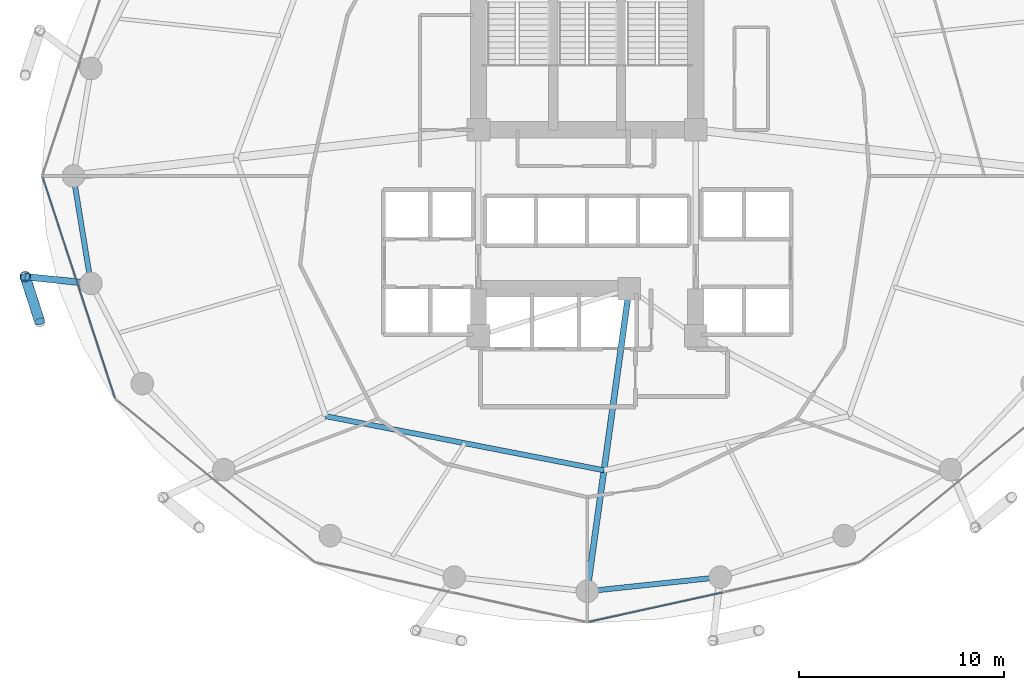
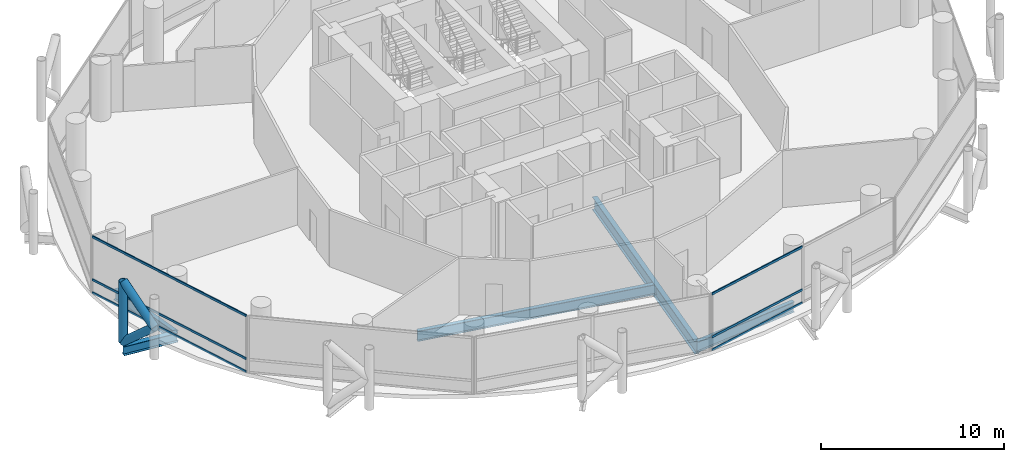
# One storey, part 5 of 25: 9 members, 5 beams, 2 elements without a shape of their own.
"""IFC4 building model written with IfcOpenShell, lengths in metres."""

import ifcopenshell
import ifcopenshell.guid

model = None  # the IFC model being written
_history = None  # IfcOwnerHistory: only IFC2X3 demands one
_inside = {}  # id of a spatial element -> (the spatial element, [elements in it])
_under = {}  # id of a project, library or spatial element -> (it, [spatial elements below it])
_declared = {}  # id of a project -> (the project, [libraries it declares])
_typed = {}  # id of a type object -> (the type object, [elements of that type])
_made_of = {}  # id of a material, layer set ... -> (it, [elements and type objects made of it])


def new_model(schema):
    """Start an empty IFC model of exactly this schema.

    Asked for "IFC4X3", IfcOpenShell would pick the latest addendum, in which some entities
    have other attributes; the version numbers below select the first issue.
    IFC2X3 requires an IfcOwnerHistory on every rooted entity: one is made here for all.
    """
    global model, _history
    if schema == "IFC4X3":
        model = ifcopenshell.file(schema_version=(4, 3, 0, 0))
    else:
        model = ifcopenshell.file(schema=schema)
    _inside.clear()
    _under.clear()
    _declared.clear()
    _typed.clear()
    _made_of.clear()
    _history = None
    if model.schema == "IFC2X3":
        org = make("IfcOrganization", Name="unknown")
        user = make(
            "IfcPersonAndOrganization",
            ThePerson=make("IfcPerson", FamilyName="unknown"),
            TheOrganization=org,
        )
        app = make(
            "IfcApplication",
            ApplicationDeveloper=org,
            Version="unknown",
            ApplicationFullName="unknown",
            ApplicationIdentifier="unknown",
        )
        _history = make(
            "IfcOwnerHistory",
            OwningUser=user,
            OwningApplication=app,
            ChangeAction="ADDED",
            CreationDate=0,
        )
    return model


def make(cls, **values):
    """One entity of the class cls with the attributes given. An attribute that is None is left unset."""
    return model.create_entity(
        cls, **{name: value for name, value in values.items() if value is not None}
    )


def rooted(cls, **values):
    """An entity with a GlobalId (a new one), such as an element, a storey or a relation."""
    return make(cls, GlobalId=ifcopenshell.guid.new(), OwnerHistory=_history, **values)


def si_unit(unit_type, name, prefix=None):
    """IfcSIUnit, for example si_unit("LENGTHUNIT", "METRE", prefix="MILLI")."""
    return make("IfcSIUnit", UnitType=unit_type, Prefix=prefix, Name=name)


def assignment(units):
    """IfcUnitAssignment: the units of a project."""
    return None if units is None else make("IfcUnitAssignment", Units=units)


def point(xyz):
    """IfcCartesianPoint."""
    return None if xyz is None else make("IfcCartesianPoint", Coordinates=xyz)


def direction(xyz):
    """IfcDirection."""
    return None if xyz is None else make("IfcDirection", DirectionRatios=xyz)


def frame(location, z_axis=None, x_axis=None):
    """IfcAxis2Placement3D, a coordinate frame: its origin and axes. An axis left out is left unset."""
    return make(
        "IfcAxis2Placement3D",
        Location=point(location),
        Axis=direction(z_axis),
        RefDirection=direction(x_axis),
    )


def frame_2d(location, x_axis=None):
    """IfcAxis2Placement2D, a coordinate frame in the plane: its origin and x axis."""
    return make(
        "IfcAxis2Placement2D", Location=point(location), RefDirection=direction(x_axis)
    )


def origin():
    """The frame at (0, 0, 0) with its axes left unset."""
    return frame((0.0, 0.0, 0.0))


def origin_2d():
    """The frame at (0, 0) in the plane with its x axis left unset."""
    return frame_2d((0.0, 0.0))


def place(relative_to, where):
    """IfcLocalPlacement: puts the frame where relative to a parent placement (None: the world)."""
    return make(
        "IfcLocalPlacement", PlacementRelTo=relative_to, RelativePlacement=where
    )


def context(
    kind, dimensions, precision=None, world=None, true_north=None, identifier=None
):
    """IfcGeometricRepresentationContext, for example the 3D "Model" context."""
    return make(
        "IfcGeometricRepresentationContext",
        ContextIdentifier=identifier,
        ContextType=kind,
        CoordinateSpaceDimension=dimensions,
        Precision=precision,
        WorldCoordinateSystem=world,
        TrueNorth=true_north,
    )


def subcontext(parent, identifier, kind, view, scale=None):
    """IfcGeometricRepresentationSubContext, for example "Body" below "Model"."""
    return make(
        "IfcGeometricRepresentationSubContext",
        ContextIdentifier=identifier,
        ContextType=kind,
        ParentContext=parent,
        TargetScale=scale,
        TargetView=view,
    )


def project(units=None, contexts=None):
    """IfcProject with its units and contexts."""
    return rooted(
        "IfcProject",
        Name="project",
        RepresentationContexts=contexts,
        UnitsInContext=assignment(units),
    )


def spatial(cls, under=None, at=None, **own):
    """A site, building, storey or space (cls), placed at a placement, below another one or the project."""
    s = rooted(cls, ObjectPlacement=at, **own)
    if under is not None:
        _under.setdefault(under.id(), (under, []))[1].append(s)
    return s


def profile(cls, at=None, kind="AREA", **sizes):
    """A parametric profile (cls). Its sizes go by their IFC names, for example OverallWidth=200.0."""
    return make(cls, ProfileType=kind, Position=at, **sizes)


def hollow_rectangle(**sizes):
    """IfcRectangleHollowProfileDef."""
    return profile("IfcRectangleHollowProfileDef", **sizes)


def hollow_circle(**sizes):
    """IfcCircleHollowProfileDef."""
    return profile("IfcCircleHollowProfileDef", **sizes)


def i_section(**sizes):
    """IfcIShapeProfileDef."""
    return profile("IfcIShapeProfileDef", **sizes)


def extrude(swept, where, along, depth):
    """IfcExtrudedAreaSolid: the profile swept, set in the frame where, extruded along a direction by depth."""
    return make(
        "IfcExtrudedAreaSolid",
        SweptArea=swept,
        Position=where,
        ExtrudedDirection=direction(along),
        Depth=depth,
    )


def shape(context_of_items, identifier, shape_type, items):
    """IfcShapeRepresentation: the items that make up one representation, for example the "Body"."""
    return make(
        "IfcShapeRepresentation",
        ContextOfItems=context_of_items,
        RepresentationIdentifier=identifier,
        RepresentationType=shape_type,
        Items=items,
    )


def material(Name=None, Category=None):
    """IfcMaterial."""
    return make("IfcMaterial", Name=Name, Category=Category)


def layer(
    of_material, thickness, ventilated=None, Name=None, Category=None, Priority=None
):
    """IfcMaterialLayer: one layer of a wall or slab, of a material (None: an air gap)."""
    return make(
        "IfcMaterialLayer",
        Material=of_material,
        LayerThickness=thickness,
        IsVentilated=ventilated,
        Name=Name,
        Category=Category,
        Priority=Priority,
    )


def layer_set(layers, Name=None):
    """IfcMaterialLayerSet."""
    return make("IfcMaterialLayerSet", MaterialLayers=layers, LayerSetName=Name)


def material_profile(
    of_material, cross_section, Name=None, Category=None, Priority=None
):
    """IfcMaterialProfile: a cross section and its material."""
    return make(
        "IfcMaterialProfile",
        Name=Name,
        Material=of_material,
        Profile=cross_section,
        Priority=Priority,
        Category=Category,
    )


def profile_set(profiles, Name=None, composite=None):
    """IfcMaterialProfileSet."""
    return make(
        "IfcMaterialProfileSet",
        Name=Name,
        MaterialProfiles=profiles,
        CompositeProfile=composite,
    )


def made_of(thing, what):
    """Note that an element or type object is made of a material, layer set ...; save() writes the relation."""
    if what is not None:
        _made_of.setdefault(what.id(), (what, []))[1].append(thing)
    return thing


def type_object(cls, material=None, **own):
    """A type object (cls), such as IfcWallType, which elements share."""
    return made_of(rooted(cls, **own), material)


def element(
    cls,
    number,
    at=None,
    inside=None,
    cuts=None,
    type_object=None,
    material=None,
    context=None,
    identifier="Body",
    shape_type=None,
    held_by="IfcProductDefinitionShape",
    body=None,
    shapes=None,
    **own,
):
    """One element of the class cls, such as IfcWall. Its Tag is "e" and its number.

    at: its placement. inside: the storey or other place that contains it. cuts: it is an
    opening in that element (IfcRelVoidsElement). A single representation is given by context,
    identifier, shape_type and body (its items); several are given by shapes. held_by: the class
    of the entity that holds the representations. save() writes the other relations.
    """
    e = rooted(cls, Tag="e%d" % number, ObjectPlacement=at, **own)
    if body is not None:
        shapes = [shape(context, identifier, shape_type, body)]
    if shapes is not None:
        e.Representation = make(held_by, Representations=shapes)
    if inside is not None:
        _inside.setdefault(inside.id(), (inside, []))[1].append(e)
    if cuts is not None:
        rooted(
            "IfcRelVoidsElement", RelatingBuildingElement=cuts, RelatedOpeningElement=e
        )
    if type_object is not None:
        _typed.setdefault(type_object.id(), (type_object, []))[1].append(e)
    return made_of(e, material)


def aggregate(whole, parts):
    """IfcRelAggregates: a whole, such as a stair, and the parts it consists of."""
    return rooted("IfcRelAggregates", RelatingObject=whole, RelatedObjects=parts)


def save(model, path):
    """Write the relations noted so far, then the file.

    IfcRelAggregates (storeys below a building ...), IfcRelContainedInSpatialStructure (elements
    in a storey), IfcRelDefinesByType, IfcRelAssociatesMaterial and IfcRelDeclares: one each for
    every whole, place, type object, material and project.
    """
    for whole, parts in _under.values():
        aggregate(whole, parts)
    for where, things in _inside.values():
        rooted(
            "IfcRelContainedInSpatialStructure",
            RelatedElements=things,
            RelatingStructure=where,
        )
    for kind, things in _typed.values():
        rooted("IfcRelDefinesByType", RelatedObjects=things, RelatingType=kind)
    for what, things in _made_of.values():
        rooted("IfcRelAssociatesMaterial", RelatedObjects=things, RelatingMaterial=what)
    for by, libraries in _declared.values():
        rooted("IfcRelDeclares", RelatingContext=by, RelatedDefinitions=libraries)
    model.write(path)


model = new_model("IFC4")

# Units and contexts
model_context = context("Model", 3, precision=1e-05, world=origin(), true_north=direction((0.0, 1.0)))
body_context = subcontext(model_context, "Body", "Model", "MODEL_VIEW")
ifc_project = project(units=[si_unit("LENGTHUNIT", "METRE"), si_unit("AREAUNIT", "SQUARE_METRE"), si_unit("VOLUMEUNIT", "CUBIC_METRE"), si_unit("PLANEANGLEUNIT", "RADIAN"), si_unit("MASSUNIT", "GRAM", prefix="KILO")], contexts=[model_context])

# Site, building, storey
site_placement = place(None, origin())
site = spatial("IfcSite", under=ifc_project, at=site_placement, CompositionType="ELEMENT")
building_placement = place(site_placement, origin())
building = spatial("IfcBuilding", under=site, at=building_placement, Name="Nuhasar Tower", CompositionType="ELEMENT")
storey_placement = place(building_placement, frame((0.0, 0.0, 49.35009765625)))
storey = spatial("IfcBuildingStorey", under=building, at=storey_placement, Name="L11", CompositionType="ELEMENT", Elevation=49.35009765625)

# Beams
ifc_material_1 = material(Name="Steel S355", Category="steel")
ifc_material_profile_1 = material_profile(ifc_material_1, i_section(OverallWidth=0.25390625, OverallDepth=0.68408203125, WebThickness=0.012451171875, FlangeThickness=0.018798828125, at=origin_2d()), Name="W27X94")
ifc_profile_set_1 = profile_set([ifc_material_profile_1], Name="Steel S355")
beam_type_1 = type_object("IfcBeamType", Name="BM-INRING-W27X94", PredefinedType="BEAM", material=ifc_profile_set_1)
beam_1_placement = place(storey_placement, frame((26.251953125, 15.089111328125, -0.60205078125), z_axis=(0.981602977761, -0.190933480695, 0.0), x_axis=(0.190933480695, 0.981602977761, 0.0)))
element("IfcBeam", 1, at=beam_1_placement, inside=storey, type_object=beam_type_1, Name="L11 Inner Header Beam 01", PredefinedType="BEAM", context=body_context, shape_type="SweptSolid", body=[
    extrude(i_section(OverallWidth=0.25390625, OverallDepth=0.68408203125, WebThickness=0.012451171875, FlangeThickness=0.018798828125, at=origin_2d()), origin(), (0.0, 0.0, 1.0), 13.822509765625),
])
ifc_material_profile_2 = material_profile(ifc_material_1, i_section(OverallWidth=0.2919921875, OverallDepth=0.85888671875, WebThickness=0.01708984375, FlangeThickness=0.031005859375, at=origin_2d()), Name="W33X169")
ifc_profile_set_2 = profile_set([ifc_material_profile_2], Name="Steel S355")
beam_type_2 = type_object("IfcBeamType", Name="BM-POD-W33X169", PredefinedType="BEAM", material=ifc_profile_set_2)
beam_2_placement = place(storey_placement, frame((41.050048828125, 21.300048828125, -0.689208984375), z_axis=(-0.137663087856, -0.990479113481, 0.0), x_axis=(0.990479113481, -0.137663087856, 0.0)))
element("IfcBeam", 2, at=beam_2_placement, inside=storey, type_object=beam_type_2, Name="L11 Radial Floor Girder 02", PredefinedType="BEAM", context=body_context, shape_type="SweptSolid", body=[
    extrude(i_section(OverallWidth=0.2919921875, OverallDepth=0.85888671875, WebThickness=0.01708984375, FlangeThickness=0.031005859375, at=origin_2d()), origin(), (0.0, 0.0, 1.0), 14.891845703125),
])
ifc_material_profile_3 = material_profile(ifc_material_1, i_section(OverallWidth=0.256103515625, OverallDepth=0.693115234375, WebThickness=0.014404296875, FlangeThickness=0.023681640625, at=origin_2d()), Name="W27X114")
ifc_profile_set_3 = profile_set([ifc_material_profile_3], Name="Steel S355")
beam_type_3 = type_object("IfcBeamType", Name="BM-RING-W27X114", PredefinedType="SPANDREL", material=ifc_profile_set_3)
beam_3_placement = place(storey_placement, frame((13.949951171875, 26.800048828125, -0.606201171875), z_axis=(0.160826635486, -0.986982671235, 0.0), x_axis=(0.986982671235, 0.160826635486, 0.0)))
element("IfcBeam", 3, at=beam_3_placement, inside=storey, type_object=beam_type_3, Name="L11 Perimeter Ring Spandrel 13", PredefinedType="SPANDREL", context=body_context, shape_type="SweptSolid", body=[
    extrude(i_section(OverallWidth=0.256103515625, OverallDepth=0.693115234375, WebThickness=0.014404296875, FlangeThickness=0.023681640625, at=origin_2d()), origin(), (0.0, 0.0, 1.0), 5.31005859375),
])
beam_4_placement = place(storey_placement, frame((39.0, 6.550048828125, -0.606201171875), z_axis=(0.994384554061, 0.105827022286, 0.0), x_axis=(-0.105827022286, 0.994384554061, 0.0)))
element("IfcBeam", 4, at=beam_4_placement, inside=storey, type_object=beam_type_3, Name="L11 Perimeter Ring Spandrel 19", PredefinedType="SPANDREL", context=body_context, shape_type="SweptSolid", body=[
    extrude(i_section(OverallWidth=0.256103515625, OverallDepth=0.693115234375, WebThickness=0.014404296875, FlangeThickness=0.023681640625, at=origin_2d()), origin(), (0.0, 0.0, 1.0), 6.51953125),
])
ifc_material_profile_4 = material_profile(ifc_material_1, i_section(OverallWidth=0.323974609375, OverallDepth=0.611083984375, WebThickness=0.0126953125, FlangeThickness=0.01904296875, at=origin_2d()), Name="W24X104")
ifc_profile_set_4 = profile_set([ifc_material_profile_4], Name="Steel S355")
beam_type_4 = type_object("IfcBeamType", Name="BM-TIE-W24X104", PredefinedType="BEAM", material=ifc_profile_set_4)
beam_5_placement = place(storey_placement, frame((14.803955078125, 21.55908203125, -0.565185546875), z_axis=(-0.994711572359, 0.102707778751, 0.0), x_axis=(-0.102707778751, -0.994711572359, 0.0)))
element("IfcBeam", 5, at=beam_5_placement, inside=storey, type_object=beam_type_4, Name="L11 Exoskeleton Node Tie Beam 07", PredefinedType="BEAM", context=body_context, shape_type="SweptSolid", body=[
    extrude(i_section(OverallWidth=0.323974609375, OverallDepth=0.611083984375, WebThickness=0.0126953125, FlangeThickness=0.01904296875, at=origin_2d()), origin(), (0.0, 0.0, 1.0), 3.220947265625),
])

# Curtain wall, members
ifc_material_2 = material(Name="Aluminium 6063-T6", Category="aluminium")
ifc_layer = layer(ifc_material_2, 0.199951171875)
ifc_layer_set = layer_set([ifc_layer], Name="Aluminium 6063-T6")
curtain_wall_type = type_object("IfcCurtainWallType", Name="CW-Z1-OFF", PredefinedType="NOTDEFINED", material=ifc_layer_set)
curtain_wall_1_placement = place(storey_placement, origin())
curtain_wall_1 = element("IfcCurtainWall", 6, at=curtain_wall_1_placement, inside=storey, type_object=curtain_wall_type, Name="L11 Unitised Curtain Wall 07", PredefinedType="NOTDEFINED")
ifc_material_profile_5 = material_profile(ifc_material_2, hollow_rectangle(XDim=0.06494140625, YDim=0.14990234375, WallThickness=0.00439453125, at=origin_2d()), Name="CWT-2")
ifc_profile_set_5 = profile_set([ifc_material_profile_5], Name="Aluminium 6063-T6")
member_type_1 = type_object("IfcMemberType", Name="CW-TRN-S2", PredefinedType="USERDEFINED", material=ifc_profile_set_5)
member_1_placement = place(storey_placement, frame((12.460205078125, 26.73828125, 0.032470703125), z_axis=(0.310818687697, -0.950469222741, 0.0), x_axis=(0.950469222741, 0.310818687697, 0.0)))
member_1 = element("IfcMember", 7, at=member_1_placement, type_object=member_type_1, Name="CW-Z1 transom 1.1", ObjectType="TRANSOM", PredefinedType="USERDEFINED", context=body_context, shape_type="SweptSolid", body=[
    extrude(hollow_rectangle(XDim=0.06494140625, YDim=0.14990234375, WallThickness=0.00439453125, at=origin_2d()), origin(), (0.0, 0.0, 1.0), 11.317138671875),
])
member_2_placement = place(storey_placement, frame((12.460205078125, 26.73828125, 0.89990234375), z_axis=(0.310818687697, -0.950469222741, 0.0), x_axis=(0.950469222741, 0.310818687697, 0.0)))
member_2 = element("IfcMember", 8, at=member_2_placement, type_object=member_type_1, Name="CW-Z1 transom 1.2", ObjectType="TRANSOM", PredefinedType="USERDEFINED", context=body_context, shape_type="SweptSolid", body=[
    extrude(hollow_rectangle(XDim=0.06494140625, YDim=0.14990234375, WallThickness=0.00439453125, at=origin_2d()), origin(), (0.0, 0.0, 1.0), 11.317138671875),
])
member_3_placement = place(storey_placement, frame((12.460205078125, 26.73828125, 3.75732421875), z_axis=(0.310818687697, -0.950469222741, 0.0), x_axis=(0.950469222741, 0.310818687697, 0.0)))
member_3 = element("IfcMember", 9, at=member_3_placement, type_object=member_type_1, Name="CW-Z1 transom 1.3", ObjectType="TRANSOM", PredefinedType="USERDEFINED", context=body_context, shape_type="SweptSolid", body=[
    extrude(hollow_rectangle(XDim=0.06494140625, YDim=0.14990234375, WallThickness=0.00439453125, at=origin_2d()), origin(), (0.0, 0.0, 1.0), 11.317138671875),
])
aggregate(curtain_wall_1, [member_1, member_2, member_3])

curtain_wall_2_placement = place(storey_placement, origin())
curtain_wall_2 = element("IfcCurtainWall", 10, at=curtain_wall_2_placement, inside=storey, type_object=curtain_wall_type, Name="L11 Unitised Curtain Wall 10", PredefinedType="NOTDEFINED")
member_4_placement = place(storey_placement, frame((39.0634765625, 5.053955078125, 0.032470703125), z_axis=(0.976747879138, 0.214391185916, 0.0), x_axis=(-0.214391185916, 0.976747879138, 0.0)))
member_4 = element("IfcMember", 11, at=member_4_placement, type_object=member_type_1, Name="CW-Z1 transom 1.1", ObjectType="TRANSOM", PredefinedType="USERDEFINED", context=body_context, shape_type="SweptSolid", body=[
    extrude(hollow_rectangle(XDim=0.06494140625, YDim=0.14990234375, WallThickness=0.00439453125, at=origin_2d()), origin(), (0.0, 0.0, 1.0), 6.700439453125),
])
member_5_placement = place(storey_placement, frame((39.0634765625, 5.053955078125, 0.89990234375), z_axis=(0.976747879138, 0.214391185916, 0.0), x_axis=(-0.214391185916, 0.976747879138, 0.0)))
member_5 = element("IfcMember", 12, at=member_5_placement, type_object=member_type_1, Name="CW-Z1 transom 1.2", ObjectType="TRANSOM", PredefinedType="USERDEFINED", context=body_context, shape_type="SweptSolid", body=[
    extrude(hollow_rectangle(XDim=0.06494140625, YDim=0.14990234375, WallThickness=0.00439453125, at=origin_2d()), origin(), (0.0, 0.0, 1.0), 6.700439453125),
])
member_6_placement = place(storey_placement, frame((39.0634765625, 5.053955078125, 3.75732421875), z_axis=(0.976747879138, 0.214391185916, 0.0), x_axis=(-0.214391185916, 0.976747879138, 0.0)))
member_6 = element("IfcMember", 13, at=member_6_placement, type_object=member_type_1, Name="CW-Z1 transom 1.3", ObjectType="TRANSOM", PredefinedType="USERDEFINED", context=body_context, shape_type="SweptSolid", body=[
    extrude(hollow_rectangle(XDim=0.06494140625, YDim=0.14990234375, WallThickness=0.00439453125, at=origin_2d()), origin(), (0.0, 0.0, 1.0), 6.700439453125),
])
aggregate(curtain_wall_2, [member_4, member_5, member_6])

# Members
ifc_material_3 = material(Name="Steel S460", Category="steel")
ifc_material_profile_6 = material_profile(ifc_material_3, hollow_circle(Radius=0.25390625, WallThickness=0.025390625, at=origin_2d()), Name="HSS508X25.4")
ifc_profile_set_6 = profile_set([ifc_material_profile_6], Name="Steel S460")
member_type_2 = type_object("IfcMemberType", Name="EXO-BRONZE-508", PredefinedType="BRACE", material=ifc_profile_set_6)
member_7_placement = place(storey_placement, frame((11.60009765625, 21.889892578125, 0.0), z_axis=(0.0, 0.0, 1.0), x_axis=(1.0, 0.0, 0.0)))
element("IfcMember", 14, at=member_7_placement, inside=storey, type_object=member_type_2, Name="L11 Exoskeleton Chord Column EC-07A", PredefinedType="BRACE", context=body_context, shape_type="SweptSolid", body=[
    extrude(hollow_circle(Radius=0.25390625, WallThickness=0.025390625, at=origin_2d()), origin(), (0.0, 0.0, 1.0), 4.0498046875),
])
for number, where, z_axis, x_axis, name in (
    (15, (11.60009765625, 21.889892578125, 0.0), (0.231011836313, -0.714224870475, 0.660693851854), (0.951468282519, 0.307746823478, 0.0), "L11 Bronze Diagrid Brace W1-07"),
    (16, (12.30810546875, 19.700927734375, 2.02490234375), (-0.231011836313, 0.714224870475, 0.660693851854), (-0.951468282519, -0.307746823478, 0.0), "L11 Bronze Diagrid Brace W2-07"),
):
    element("IfcMember", number, at=place(storey_placement, frame(where, z_axis=z_axis, x_axis=x_axis)), inside=storey, type_object=member_type_2, Name=name, PredefinedType="BRACE", context=body_context, shape_type="SweptSolid", body=[
        extrude(hollow_circle(Radius=0.25390625, WallThickness=0.025390625, at=origin_2d()), origin(), (0.0, 0.0, 1.0), 3.064697265625),
    ])

save(model, "model.ifc")
